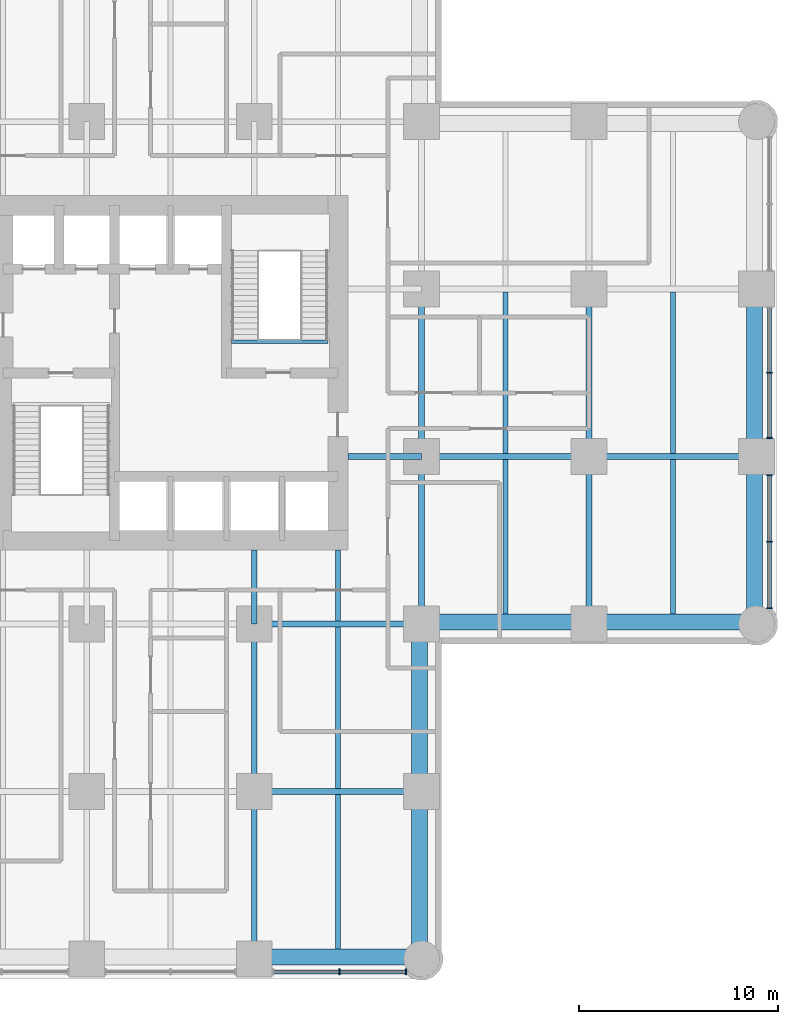
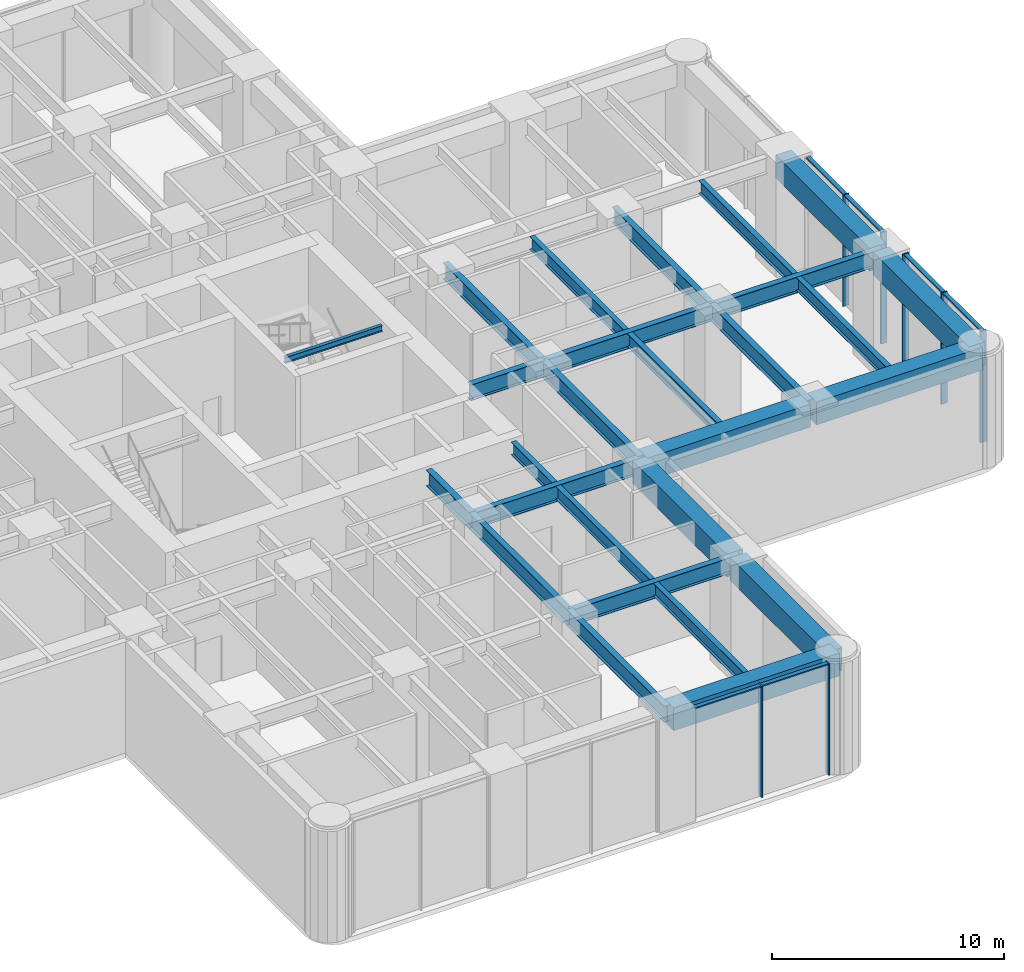
# One storey, part 3 of 11: 27 beams, 13 members, 2 elements without a shape of their own.
"""IFC4 building model written with IfcOpenShell, lengths in metres."""

from ifc_helpers import new_model, si_unit, direction, frame, origin, origin_2d, place, context, subcontext, project, spatial, rectangle, i_section, extrude, material, material_profile, profile_set, type_object, element, aggregate, save


model = new_model("IFC4")

# Units and contexts
model_context = context("Model", 3, precision=1e-05, world=origin(), true_north=direction((0.0, 1.0)))
body_context = subcontext(model_context, "Body", "Model", "MODEL_VIEW")
ifc_project = project(units=[si_unit("LENGTHUNIT", "METRE"), si_unit("AREAUNIT", "SQUARE_METRE"), si_unit("VOLUMEUNIT", "CUBIC_METRE"), si_unit("PLANEANGLEUNIT", "RADIAN"), si_unit("MASSUNIT", "GRAM", prefix="KILO")], contexts=[model_context])

# Site, building, storey
site_placement = place(None, origin())
site = spatial("IfcSite", under=ifc_project, at=site_placement, CompositionType="ELEMENT")
building_placement = place(site_placement, origin())
building = spatial("IfcBuilding", under=site, at=building_placement, Name="Torre Alcanfor", CompositionType="ELEMENT")
storey_placement = place(building_placement, frame((0.0, 0.0, 28.5)))
storey = spatial("IfcBuildingStorey", under=building, at=storey_placement, Name="L06", CompositionType="ELEMENT", Elevation=28.5)

# Curtain wall, members
ifc_material_1 = material(Name="Aluminium and glass", Category="aluminium")
curtain_wall_type = type_object("IfcCurtainWallType", Name="CW-D plant floor louvre screen", PredefinedType="NOTDEFINED", material=ifc_material_1)
curtain_wall_1_placement = place(storey_placement, origin())
curtain_wall_1 = element("IfcCurtainWall", 1, at=curtain_wall_1_placement, inside=storey, type_object=curtain_wall_type, Name="Curtain wall CW-D L06 5", PredefinedType="NOTDEFINED")
ifc_material_2 = material(Name="Extruded aluminium", Category="aluminium")
ifc_material_profile_1 = material_profile(ifc_material_2, rectangle(XDim=0.300048828125, YDim=0.06494140625, at=origin_2d()), Name="CW-D mullion 65x300")
ifc_profile_set_1 = profile_set([ifc_material_profile_1], Name="Extruded aluminium")
member_type_1 = type_object("IfcMemberType", Name="CW-D mullion 65x300", PredefinedType="MULLION", material=ifc_profile_set_1)
member_1_placement = place(storey_placement, frame((37.875244140625, -0.64990234375, 0.0), z_axis=(0.0, 0.0, 1.0), x_axis=(0.0, 1.0, 0.0)))
member_1 = element("IfcMember", 2, at=member_1_placement, type_object=member_type_1, Name="CW-D mullion 3.2", PredefinedType="MULLION", context=body_context, shape_type="SweptSolid", body=[
    extrude(rectangle(XDim=0.300048828125, YDim=0.06494140625, at=origin_2d()), origin(), (0.0, 0.0, 1.0), 5.85009765625),
])
member_2_placement = place(storey_placement, frame((41.213134765625, -0.64990234375, 0.0), z_axis=(0.0, 0.0, 1.0), x_axis=(0.0, 1.0, 0.0)))
member_2 = element("IfcMember", 3, at=member_2_placement, type_object=member_type_1, Name="CW-D mullion 3.3", PredefinedType="MULLION", context=body_context, shape_type="SweptSolid", body=[
    extrude(rectangle(XDim=0.300048828125, YDim=0.06494140625, at=origin_2d()), origin(), (0.0, 0.0, 1.0), 5.85009765625),
])

curtain_wall_2_placement = place(storey_placement, origin())
curtain_wall_2 = element("IfcCurtainWall", 4, at=curtain_wall_2_placement, inside=storey, type_object=curtain_wall_type, Name="Curtain wall CW-D L06 8", PredefinedType="NOTDEFINED")
member_3_placement = place(storey_placement, frame((59.449951171875, 17.5869140625, 0.0), z_axis=(0.0, 0.0, 1.0), x_axis=(-1.0, 0.0, 0.0)))
member_3 = element("IfcMember", 5, at=member_3_placement, type_object=member_type_1, Name="CW-D mullion 1.1", PredefinedType="MULLION", context=body_context, shape_type="SweptSolid", body=[
    extrude(rectangle(XDim=0.300048828125, YDim=0.06494140625, at=origin_2d()), origin(), (0.0, 0.0, 1.0), 5.85009765625),
])
member_4_placement = place(storey_placement, frame((59.449951171875, 20.924560546875, 0.0), z_axis=(0.0, 0.0, 1.0), x_axis=(-1.0, 0.0, 0.0)))
member_4 = element("IfcMember", 6, at=member_4_placement, type_object=member_type_1, Name="CW-D mullion 1.2", PredefinedType="MULLION", context=body_context, shape_type="SweptSolid", body=[
    extrude(rectangle(XDim=0.300048828125, YDim=0.06494140625, at=origin_2d()), origin(), (0.0, 0.0, 1.0), 5.85009765625),
])
member_5_placement = place(storey_placement, frame((59.449951171875, 24.262451171875, 0.0), z_axis=(0.0, 0.0, 1.0), x_axis=(-1.0, 0.0, 0.0)))
member_5 = element("IfcMember", 7, at=member_5_placement, type_object=member_type_1, Name="CW-D mullion 1.3", PredefinedType="MULLION", context=body_context, shape_type="SweptSolid", body=[
    extrude(rectangle(XDim=0.300048828125, YDim=0.06494140625, at=origin_2d()), origin(), (0.0, 0.0, 1.0), 5.85009765625),
])
member_6_placement = place(storey_placement, frame((59.449951171875, 26.137451171875, 0.0), z_axis=(0.0, 0.0, 1.0), x_axis=(-1.0, 0.0, 0.0)))
member_6 = element("IfcMember", 8, at=member_6_placement, type_object=member_type_1, Name="CW-D mullion 2.1", PredefinedType="MULLION", context=body_context, shape_type="SweptSolid", body=[
    extrude(rectangle(XDim=0.300048828125, YDim=0.06494140625, at=origin_2d()), origin(), (0.0, 0.0, 1.0), 5.85009765625),
])
member_7_placement = place(storey_placement, frame((59.449951171875, 29.39990234375, 0.0), z_axis=(0.0, 0.0, 1.0), x_axis=(-1.0, 0.0, 0.0)))
member_7 = element("IfcMember", 9, at=member_7_placement, type_object=member_type_1, Name="CW-D mullion 2.2", PredefinedType="MULLION", context=body_context, shape_type="SweptSolid", body=[
    extrude(rectangle(XDim=0.300048828125, YDim=0.06494140625, at=origin_2d()), origin(), (0.0, 0.0, 1.0), 5.85009765625),
])

# Member
ifc_material_3 = material(Name="Extruded aluminium", Category="aluminium")
ifc_material_profile_2 = material_profile(ifc_material_3, rectangle(XDim=0.199951171875, YDim=0.06494140625, at=origin_2d()), Name="CW-D transom 200x65")
ifc_profile_set_2 = profile_set([ifc_material_profile_2], Name="Extruded aluminium")
member_type_2 = type_object("IfcMemberType", Name="CW-D transom 65x200", PredefinedType="USERDEFINED", material=ifc_profile_set_2)
member_8_placement = place(storey_placement, frame((34.570068359375, -0.64990234375, 5.8173828125), z_axis=(1.0, 0.0, 0.0), x_axis=(0.0, 1.0, 0.0)))
member_8 = element("IfcMember", 10, at=member_8_placement, type_object=member_type_2, Name="CW-D transom 3.1.2", ObjectType="TRANSOM", PredefinedType="USERDEFINED", context=body_context, shape_type="SweptSolid", body=[
    extrude(rectangle(XDim=0.199951171875, YDim=0.06494140625, at=origin_2d()), origin(), (0.0, 0.0, 1.0), 3.272705078125),
])

member_9_placement = place(storey_placement, frame((37.907958984375, -0.64990234375, 5.8173828125), z_axis=(1.0, 0.0, 0.0), x_axis=(0.0, 1.0, 0.0)))
member_9 = element("IfcMember", 11, at=member_9_placement, type_object=member_type_2, Name="CW-D transom 3.2.2", ObjectType="TRANSOM", PredefinedType="USERDEFINED", context=body_context, shape_type="SweptSolid", body=[
    extrude(rectangle(XDim=0.199951171875, YDim=0.06494140625, at=origin_2d()), origin(), (0.0, 0.0, 1.0), 3.272705078125),
])

aggregate(curtain_wall_1, [member_1, member_2, member_8, member_9])

member_10_placement = place(storey_placement, frame((59.449951171875, 17.619384765625, 5.8173828125), z_axis=(0.0, 1.0, 0.0), x_axis=(-1.0, 0.0, 0.0)))
member_10 = element("IfcMember", 12, at=member_10_placement, type_object=member_type_2, Name="CW-D transom 1.1.2", ObjectType="TRANSOM", PredefinedType="USERDEFINED", context=body_context, shape_type="SweptSolid", body=[
    extrude(rectangle(XDim=0.199951171875, YDim=0.06494140625, at=origin_2d()), origin(), (0.0, 0.0, 1.0), 3.272705078125),
])

member_11_placement = place(storey_placement, frame((59.449951171875, 20.95703125, 5.8173828125), z_axis=(0.0, 1.0, 0.0), x_axis=(-1.0, 0.0, 0.0)))
member_11 = element("IfcMember", 13, at=member_11_placement, type_object=member_type_2, Name="CW-D transom 1.2.2", ObjectType="TRANSOM", PredefinedType="USERDEFINED", context=body_context, shape_type="SweptSolid", body=[
    extrude(rectangle(XDim=0.199951171875, YDim=0.06494140625, at=origin_2d()), origin(), (0.0, 0.0, 1.0), 3.27294921875),
])

member_12_placement = place(storey_placement, frame((59.449951171875, 26.169921875, 5.8173828125), z_axis=(0.0, 1.0, 0.0), x_axis=(-1.0, 0.0, 0.0)))
member_12 = element("IfcMember", 14, at=member_12_placement, type_object=member_type_2, Name="CW-D transom 2.1.2", ObjectType="TRANSOM", PredefinedType="USERDEFINED", context=body_context, shape_type="SweptSolid", body=[
    extrude(rectangle(XDim=0.199951171875, YDim=0.06494140625, at=origin_2d()), origin(), (0.0, 0.0, 1.0), 3.197509765625),
])

member_13_placement = place(storey_placement, frame((59.449951171875, 29.4326171875, 5.8173828125), z_axis=(0.0, 1.0, 0.0), x_axis=(-1.0, 0.0, 0.0)))
member_13 = element("IfcMember", 15, at=member_13_placement, type_object=member_type_2, Name="CW-D transom 2.2.2", ObjectType="TRANSOM", PredefinedType="USERDEFINED", context=body_context, shape_type="SweptSolid", body=[
    extrude(rectangle(XDim=0.199951171875, YDim=0.06494140625, at=origin_2d()), origin(), (0.0, 0.0, 1.0), 3.197265625),
])

aggregate(curtain_wall_2, [member_3, member_4, member_5, member_10, member_11, member_6, member_7, member_12, member_13])

# Beams
ifc_material_4 = material(Name="Steel ASTM A992 Grade 50", Category="steel")
ifc_material_profile_3 = material_profile(ifc_material_4, i_section(OverallWidth=0.2919921875, OverallDepth=0.8408203125, WebThickness=0.0146484375, FlangeThickness=0.021728515625, at=origin_2d()), Name="W33x130")
ifc_profile_set_3 = profile_set([ifc_material_profile_3], Name="Steel ASTM A992 Grade 50")
beam_type_1 = type_object("IfcBeamType", Name="Girder W33x130", PredefinedType="BEAM", material=ifc_profile_set_3)
for number, where, z_axis, x_axis, name in (
    (16, (33.60009765625, 8.39990234375, 5.4296875), (1.0, 0.0, 0.0), (0.0, 1.0, 0.0), "Beam 5D-6D under L07"),
    (17, (33.60009765625, 16.800048828125, 5.4296875), (1.0, 0.0, 0.0), (0.0, 1.0, 0.0), "Beam 5E-6E under L07"),
    (18, (42.0, 25.199951171875, 5.4296875), (1.0, 0.0, 0.0), (0.0, 1.0, 0.0), "Beam 6F-7F under L07"),
):
    element("IfcBeam", number, at=place(storey_placement, frame(where, z_axis=z_axis, x_axis=x_axis)), inside=storey, type_object=beam_type_1, Name=name, PredefinedType="BEAM", context=body_context, shape_type="SweptSolid", body=[
        extrude(i_section(OverallWidth=0.2919921875, OverallDepth=0.8408203125, WebThickness=0.0146484375, FlangeThickness=0.021728515625, at=origin_2d()), origin(), (0.0, 0.0, 1.0), 8.39990234375),
    ])
beam_1_placement = place(storey_placement, frame((50.39990234375, 25.199951171875, 5.4296875), z_axis=(1.0, 0.0, 0.0), x_axis=(0.0, 1.0, 0.0)))
element("IfcBeam", 19, at=beam_1_placement, inside=storey, type_object=beam_type_1, Name="Beam 7F-8F under L07", PredefinedType="BEAM", context=body_context, shape_type="SweptSolid", body=[
    extrude(i_section(OverallWidth=0.2919921875, OverallDepth=0.8408203125, WebThickness=0.0146484375, FlangeThickness=0.021728515625, at=origin_2d()), origin(), (0.0, 0.0, 1.0), 8.400146484375),
])
beam_2_placement = place(storey_placement, frame((33.60009765625, 0.0, 5.4296875), z_axis=(0.0, 1.0, 0.0), x_axis=(-1.0, 0.0, 0.0)))
element("IfcBeam", 20, at=beam_2_placement, inside=storey, type_object=beam_type_1, Name="Beam 5C-5D under L07", PredefinedType="BEAM", context=body_context, shape_type="SweptSolid", body=[
    extrude(i_section(OverallWidth=0.2919921875, OverallDepth=0.8408203125, WebThickness=0.0146484375, FlangeThickness=0.021728515625, at=origin_2d()), origin(), (0.0, 0.0, 1.0), 8.39990234375),
])
beam_3_placement = place(storey_placement, frame((33.60009765625, 8.39990234375, 5.4296875), z_axis=(0.0, 1.0, 0.0), x_axis=(-1.0, 0.0, 0.0)))
element("IfcBeam", 21, at=beam_3_placement, inside=storey, type_object=beam_type_1, Name="Beam 5D-5E under L07", PredefinedType="BEAM", context=body_context, shape_type="SweptSolid", body=[
    extrude(i_section(OverallWidth=0.2919921875, OverallDepth=0.8408203125, WebThickness=0.0146484375, FlangeThickness=0.021728515625, at=origin_2d()), origin(), (0.0, 0.0, 1.0), 8.400146484375),
])
beam_4_placement = place(storey_placement, frame((42.0, 16.800048828125, 5.4296875), z_axis=(0.0, 1.0, 0.0), x_axis=(-1.0, 0.0, 0.0)))
element("IfcBeam", 22, at=beam_4_placement, inside=storey, type_object=beam_type_1, Name="Beam 6E-6F under L07", PredefinedType="BEAM", context=body_context, shape_type="SweptSolid", body=[
    extrude(i_section(OverallWidth=0.2919921875, OverallDepth=0.8408203125, WebThickness=0.0146484375, FlangeThickness=0.021728515625, at=origin_2d()), origin(), (0.0, 0.0, 1.0), 8.39990234375),
])
beam_5_placement = place(storey_placement, frame((42.0, 25.199951171875, 5.4296875), z_axis=(0.0, 1.0, 0.0), x_axis=(-1.0, 0.0, 0.0)))
element("IfcBeam", 23, at=beam_5_placement, inside=storey, type_object=beam_type_1, Name="Beam 6F-6G under L07", PredefinedType="BEAM", context=body_context, shape_type="SweptSolid", body=[
    extrude(i_section(OverallWidth=0.2919921875, OverallDepth=0.8408203125, WebThickness=0.0146484375, FlangeThickness=0.021728515625, at=origin_2d()), origin(), (0.0, 0.0, 1.0), 8.400146484375),
])
beam_6_placement = place(storey_placement, frame((50.39990234375, 16.800048828125, 5.4296875), z_axis=(0.0, 1.0, 0.0), x_axis=(-1.0, 0.0, 0.0)))
element("IfcBeam", 24, at=beam_6_placement, inside=storey, type_object=beam_type_1, Name="Beam 7E-7F under L07", PredefinedType="BEAM", context=body_context, shape_type="SweptSolid", body=[
    extrude(i_section(OverallWidth=0.2919921875, OverallDepth=0.8408203125, WebThickness=0.0146484375, FlangeThickness=0.021728515625, at=origin_2d()), origin(), (0.0, 0.0, 1.0), 8.39990234375),
])
beam_7_placement = place(storey_placement, frame((50.39990234375, 25.199951171875, 5.4296875), z_axis=(0.0, 1.0, 0.0), x_axis=(-1.0, 0.0, 0.0)))
element("IfcBeam", 25, at=beam_7_placement, inside=storey, type_object=beam_type_1, Name="Beam 7F-7G under L07", PredefinedType="BEAM", context=body_context, shape_type="SweptSolid", body=[
    extrude(i_section(OverallWidth=0.2919921875, OverallDepth=0.8408203125, WebThickness=0.0146484375, FlangeThickness=0.021728515625, at=origin_2d()), origin(), (0.0, 0.0, 1.0), 8.400146484375),
])
ifc_material_5 = material(Name="Steel ASTM A992 Grade 50", Category="steel")
ifc_material_profile_4 = material_profile(ifc_material_5, i_section(OverallWidth=0.2919921875, OverallDepth=0.8408203125, WebThickness=0.0146484375, FlangeThickness=0.021728515625, at=origin_2d()), Name="W33x130")
ifc_profile_set_4 = profile_set([ifc_material_profile_4], Name="Steel ASTM A992 Grade 50")
beam_type_2 = type_object("IfcBeamType", Name="Girder, part bay W33x130", PredefinedType="BEAM", material=ifc_profile_set_4)
for number, where, z_axis, x_axis, name in (
    (26, (33.60009765625, 16.800048828125, 5.4296875), (0.0, 1.0, 0.0), (-1.0, 0.0, 0.0), "Beam 5E-520_5 under L07"),
    (27, (42.0, 25.199951171875, 5.4296875), (-1.0, 0.0, 0.0), (0.0, -1.0, 0.0), "Beam 6F-38_3F under L07"),
):
    element("IfcBeam", number, at=place(storey_placement, frame(where, z_axis=z_axis, x_axis=x_axis)), inside=storey, type_object=beam_type_2, Name=name, PredefinedType="BEAM", context=body_context, shape_type="SweptSolid", body=[
        extrude(i_section(OverallWidth=0.2919921875, OverallDepth=0.8408203125, WebThickness=0.0146484375, FlangeThickness=0.021728515625, at=origin_2d()), origin(), (0.0, 0.0, 1.0), 3.699951171875),
    ])
ifc_material_6 = material(Name="Concrete f'c 70 MPa", Category="concrete")
ifc_material_profile_5 = material_profile(ifc_material_6, rectangle(XDim=0.800048828125, YDim=1.199951171875, at=origin_2d()), Name="800x1200")
ifc_profile_set_5 = profile_set([ifc_material_profile_5], Name="Concrete f'c 70 MPa")
beam_type_3 = type_object("IfcBeamType", Name="RC perimeter beam 800x1200", PredefinedType="BEAM", material=ifc_profile_set_5)
beam_8_placement = place(storey_placement, frame((33.74609375, 0.10009765625, 5.25), z_axis=(1.0, 0.0, 0.0), x_axis=(0.0, 1.0, 0.0)))
element("IfcBeam", 28, at=beam_8_placement, inside=storey, type_object=beam_type_3, Name="Beam 5C-6C under L07", PredefinedType="BEAM", context=body_context, shape_type="SweptSolid", body=[
    extrude(rectangle(XDim=0.800048828125, YDim=1.199951171875, at=origin_2d()), origin(), (0.0, 0.0, 1.0), 8.25390625),
])
beam_9_placement = place(storey_placement, frame((42.14599609375, 16.89990234375, 5.25), z_axis=(1.0, 0.0, 0.0), x_axis=(0.0, 1.0, 0.0)))
element("IfcBeam", 29, at=beam_9_placement, inside=storey, type_object=beam_type_3, Name="Beam 6E-7E under L07", PredefinedType="BEAM", context=body_context, shape_type="SweptSolid", body=[
    extrude(rectangle(XDim=0.800048828125, YDim=1.199951171875, at=origin_2d()), origin(), (0.0, 0.0, 1.0), 8.10791015625),
])
beam_10_placement = place(storey_placement, frame((50.5458984375, 16.89990234375, 5.25), z_axis=(1.0, 0.0, 0.0), x_axis=(0.0, 1.0, 0.0)))
element("IfcBeam", 30, at=beam_10_placement, inside=storey, type_object=beam_type_3, Name="Beam 7E-8E under L07", PredefinedType="BEAM", context=body_context, shape_type="SweptSolid", body=[
    extrude(rectangle(XDim=0.800048828125, YDim=1.199951171875, at=origin_2d()), origin(), (0.0, 0.0, 1.0), 8.254150390625),
])
beam_11_placement = place(storey_placement, frame((41.89990234375, 0.0, 5.25), z_axis=(0.0, 1.0, 0.0), x_axis=(-1.0, 0.0, 0.0)))
element("IfcBeam", 31, at=beam_11_placement, inside=storey, type_object=beam_type_3, Name="Beam 6C-6D under L07", PredefinedType="BEAM", context=body_context, shape_type="SweptSolid", body=[
    extrude(rectangle(XDim=0.800048828125, YDim=1.199951171875, at=origin_2d()), origin(), (0.0, 0.0, 1.0), 8.25390625),
])
beam_12_placement = place(storey_placement, frame((41.89990234375, 8.5458984375, 5.25), z_axis=(0.0, 1.0, 0.0), x_axis=(-1.0, 0.0, 0.0)))
element("IfcBeam", 32, at=beam_12_placement, inside=storey, type_object=beam_type_3, Name="Beam 6D-6E under L07", PredefinedType="BEAM", context=body_context, shape_type="SweptSolid", body=[
    extrude(rectangle(XDim=0.800048828125, YDim=1.199951171875, at=origin_2d()), origin(), (0.0, 0.0, 1.0), 8.108154296875),
])
beam_13_placement = place(storey_placement, frame((58.699951171875, 16.800048828125, 5.25), z_axis=(0.0, 1.0, 0.0), x_axis=(-1.0, 0.0, 0.0)))
element("IfcBeam", 33, at=beam_13_placement, inside=storey, type_object=beam_type_3, Name="Beam 8E-8F under L07", PredefinedType="BEAM", context=body_context, shape_type="SweptSolid", body=[
    extrude(rectangle(XDim=0.800048828125, YDim=1.199951171875, at=origin_2d()), origin(), (0.0, 0.0, 1.0), 8.25390625),
])
beam_14_placement = place(storey_placement, frame((58.699951171875, 25.345947265625, 5.25), z_axis=(0.0, 1.0, 0.0), x_axis=(-1.0, 0.0, 0.0)))
element("IfcBeam", 34, at=beam_14_placement, inside=storey, type_object=beam_type_3, Name="Beam 8F-8G under L07", PredefinedType="BEAM", context=body_context, shape_type="SweptSolid", body=[
    extrude(rectangle(XDim=0.800048828125, YDim=1.199951171875, at=origin_2d()), origin(), (0.0, 0.0, 1.0), 8.108154296875),
])
ifc_material_7 = material(Name="Steel ASTM A992 Grade 50", Category="steel")
ifc_material_profile_6 = material_profile(ifc_material_7, i_section(OverallWidth=0.25390625, OverallDepth=0.683349609375, WebThickness=0.012451171875, FlangeThickness=0.01904296875, at=origin_2d()), Name="W27x94")
ifc_profile_set_6 = profile_set([ifc_material_profile_6], Name="Steel ASTM A992 Grade 50")
beam_type_4 = type_object("IfcBeamType", Name="Secondary beam W27x94", PredefinedType="BEAM", material=ifc_profile_set_6)
beam_15_placement = place(storey_placement, frame((37.800048828125, 0.5, 5.50830078125), z_axis=(0.0, 1.0, 0.0), x_axis=(-1.0, 0.0, 0.0)))
element("IfcBeam", 35, at=beam_15_placement, inside=storey, type_object=beam_type_4, Name="Beam 37_8C-37_8D under L07", PredefinedType="BEAM", context=body_context, shape_type="SweptSolid", body=[
    extrude(i_section(OverallWidth=0.25390625, OverallDepth=0.683349609375, WebThickness=0.012451171875, FlangeThickness=0.01904296875, at=origin_2d()), origin(), (0.0, 0.0, 1.0), 7.75390625),
])
beam_16_placement = place(storey_placement, frame((37.800048828125, 8.5458984375, 5.50830078125), z_axis=(0.0, 1.0, 0.0), x_axis=(-1.0, 0.0, 0.0)))
element("IfcBeam", 36, at=beam_16_placement, inside=storey, type_object=beam_type_4, Name="Beam 37_8D-37_8E under L07", PredefinedType="BEAM", context=body_context, shape_type="SweptSolid", body=[
    extrude(i_section(OverallWidth=0.25390625, OverallDepth=0.683349609375, WebThickness=0.012451171875, FlangeThickness=0.01904296875, at=origin_2d()), origin(), (0.0, 0.0, 1.0), 8.108154296875),
])
beam_17_placement = place(storey_placement, frame((46.199951171875, 17.300048828125, 5.50830078125), z_axis=(0.0, 1.0, 0.0), x_axis=(-1.0, 0.0, 0.0)))
element("IfcBeam", 37, at=beam_17_placement, inside=storey, type_object=beam_type_4, Name="Beam 46_2E-46_2F under L07", PredefinedType="BEAM", context=body_context, shape_type="SweptSolid", body=[
    extrude(i_section(OverallWidth=0.25390625, OverallDepth=0.683349609375, WebThickness=0.012451171875, FlangeThickness=0.01904296875, at=origin_2d()), origin(), (0.0, 0.0, 1.0), 7.75390625),
])
beam_18_placement = place(storey_placement, frame((46.199951171875, 25.345947265625, 5.50830078125), z_axis=(0.0, 1.0, 0.0), x_axis=(-1.0, 0.0, 0.0)))
element("IfcBeam", 38, at=beam_18_placement, inside=storey, type_object=beam_type_4, Name="Beam 46_2F-46_2G under L07", PredefinedType="BEAM", context=body_context, shape_type="SweptSolid", body=[
    extrude(i_section(OverallWidth=0.25390625, OverallDepth=0.683349609375, WebThickness=0.012451171875, FlangeThickness=0.01904296875, at=origin_2d()), origin(), (0.0, 0.0, 1.0), 8.108154296875),
])
beam_19_placement = place(storey_placement, frame((54.60009765625, 17.300048828125, 5.50830078125), z_axis=(0.0, 1.0, 0.0), x_axis=(-1.0, 0.0, 0.0)))
element("IfcBeam", 39, at=beam_19_placement, inside=storey, type_object=beam_type_4, Name="Beam 54_6E-54_6F under L07", PredefinedType="BEAM", context=body_context, shape_type="SweptSolid", body=[
    extrude(i_section(OverallWidth=0.25390625, OverallDepth=0.683349609375, WebThickness=0.012451171875, FlangeThickness=0.01904296875, at=origin_2d()), origin(), (0.0, 0.0, 1.0), 7.75390625),
])
beam_20_placement = place(storey_placement, frame((54.60009765625, 25.345947265625, 5.50830078125), z_axis=(0.0, 1.0, 0.0), x_axis=(-1.0, 0.0, 0.0)))
element("IfcBeam", 40, at=beam_20_placement, inside=storey, type_object=beam_type_4, Name="Beam 54_6F-54_6G under L07", PredefinedType="BEAM", context=body_context, shape_type="SweptSolid", body=[
    extrude(i_section(OverallWidth=0.25390625, OverallDepth=0.683349609375, WebThickness=0.012451171875, FlangeThickness=0.01904296875, at=origin_2d()), origin(), (0.0, 0.0, 1.0), 8.108154296875),
])
ifc_material_8 = material(Name="Steel ASTM A992 Grade 50", Category="steel")
ifc_material_profile_7 = material_profile(ifc_material_8, i_section(OverallWidth=0.25390625, OverallDepth=0.683349609375, WebThickness=0.012451171875, FlangeThickness=0.01904296875, at=origin_2d()), Name="W27x94")
ifc_profile_set_7 = profile_set([ifc_material_profile_7], Name="Steel ASTM A992 Grade 50")
beam_type_5 = type_object("IfcBeamType", Name="Secondary beam, part bay W27x94", PredefinedType="BEAM", material=ifc_profile_set_7)
beam_21_placement = place(storey_placement, frame((37.800048828125, 16.946044921875, 5.50830078125), z_axis=(0.0, 1.0, 0.0), x_axis=(-1.0, 0.0, 0.0)))
element("IfcBeam", 41, at=beam_21_placement, inside=storey, type_object=beam_type_5, Name="Beam 37_8E-37_820_5 under L07", PredefinedType="BEAM", context=body_context, shape_type="SweptSolid", body=[
    extrude(i_section(OverallWidth=0.25390625, OverallDepth=0.683349609375, WebThickness=0.012451171875, FlangeThickness=0.01904296875, at=origin_2d()), origin(), (0.0, 0.0, 1.0), 3.553955078125),
])
ifc_material_9 = material(Name="Steel ASTM A992 Grade 50", Category="steel")
ifc_material_profile_8 = material_profile(ifc_material_9, i_section(OverallWidth=0.164794921875, OverallDepth=0.309814453125, WebThickness=0.005859375, FlangeThickness=0.009765625, at=origin_2d()), Name="W12x26")
ifc_profile_set_8 = profile_set([ifc_material_profile_8], Name="Steel ASTM A992 Grade 50")
beam_type_6 = type_object("IfcBeamType", Name="Stair landing beam W12x26", PredefinedType="BEAM", material=ifc_profile_set_8)
beam_22_placement = place(storey_placement, frame((32.449951171875, 30.962646484375, 5.64501953125), z_axis=(1.0, 0.0, 0.0), x_axis=(0.0, 1.0, 0.0)))
element("IfcBeam", 42, at=beam_22_placement, inside=storey, type_object=beam_type_6, Name="Landing trimmer S2 L07", PredefinedType="BEAM", context=body_context, shape_type="SweptSolid", body=[
    extrude(i_section(OverallWidth=0.164794921875, OverallDepth=0.309814453125, WebThickness=0.005859375, FlangeThickness=0.009765625, at=origin_2d()), origin(), (0.0, 0.0, 1.0), 4.85009765625),
])

save(model, "model.ifc")
